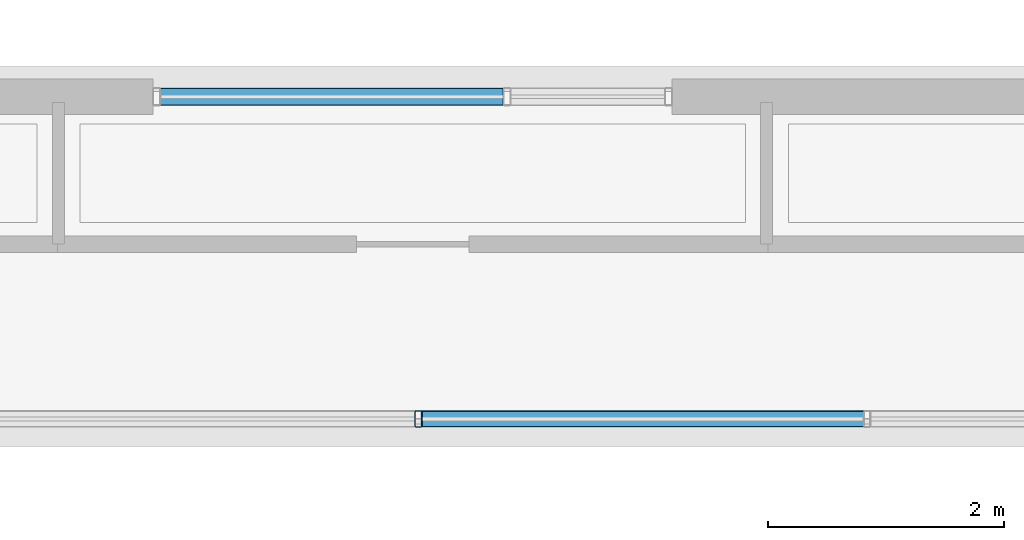
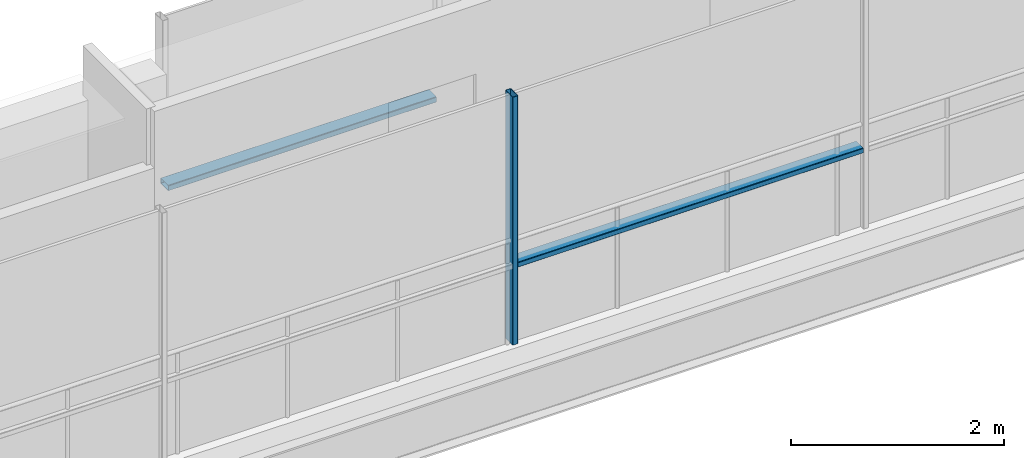
# One storey, part 12 of 36: 3 members, 2 elements without a shape of their own.
"""IFC4 building model written with IfcOpenShell, lengths in metres."""

from ifc_helpers import new_model, si_unit, direction, frame, origin, origin_2d, place, context, subcontext, project, spatial, hollow_rectangle, extrude, material, layer, layer_set, material_profile, profile_set, type_object, element, aggregate, save


model = new_model("IFC4")

# Units and contexts
model_context = context("Model", 3, precision=1e-05, world=origin(), true_north=direction((0.0, 1.0)))
body_context = subcontext(model_context, "Body", "Model", "MODEL_VIEW")
ifc_project = project(units=[si_unit("LENGTHUNIT", "METRE"), si_unit("AREAUNIT", "SQUARE_METRE"), si_unit("VOLUMEUNIT", "CUBIC_METRE"), si_unit("PLANEANGLEUNIT", "RADIAN"), si_unit("MASSUNIT", "GRAM", prefix="KILO")], contexts=[model_context])

# Site, building, storey
site_placement = place(None, origin())
site = spatial("IfcSite", under=ifc_project, at=site_placement, CompositionType="ELEMENT")
building_placement = place(site_placement, origin())
building = spatial("IfcBuilding", under=site, at=building_placement, Name="Brevholm Reach", CompositionType="ELEMENT")
storey_placement = place(building_placement, frame((0.0, 0.0, 175.89990234375)))
storey = spatial("IfcBuildingStorey", under=building, at=storey_placement, Name="L53", CompositionType="ELEMENT", Elevation=175.89990234375)

# Curtain wall, members
ifc_material_1 = material(Name="Dark Anodised Aluminium 6063-T6 and Solar-Control Glass", Category="aluminium")
ifc_layer_1 = layer(ifc_material_1, 0.139892578125)
ifc_layer_set_1 = layer_set([ifc_layer_1], Name="Dark Anodised Aluminium 6063-T6 and Solar-Control Glass")
curtain_wall_type_1 = type_object("IfcCurtainWallType", Name="CW-02", PredefinedType="NOTDEFINED", material=ifc_layer_set_1)
curtain_wall_1_placement = place(storey_placement, origin())
curtain_wall_1 = element("IfcCurtainWall", 1, at=curtain_wall_1_placement, inside=storey, type_object=curtain_wall_type_1, Name="L53 Curtain Wall CW-02", PredefinedType="NOTDEFINED")
ifc_material_2 = material(Name="Dark Anodised Aluminium 6063-T6", Category="aluminium")
ifc_material_profile_1 = material_profile(ifc_material_2, hollow_rectangle(XDim=0.06005859375, YDim=0.139892578125, WallThickness=0.0048828125, InnerFilletRadius=0.0048828125, OuterFilletRadius=0.010009765625, at=origin_2d()), Name="RHS 140x60x5")
ifc_profile_set_1 = profile_set([ifc_material_profile_1], Name="Dark Anodised Aluminium 6063-T6")
member_type_1 = type_object("IfcMemberType", Name="CWM-140", PredefinedType="MULLION", material=ifc_profile_set_1)
member_1_placement = place(storey_placement, frame((30.050048828125, 23.6201171875, 0.0), z_axis=(0.0, 0.0, 1.0), x_axis=(-1.0, 0.0, 0.0)))
member_1 = element("IfcMember", 2, at=member_1_placement, type_object=member_type_1, Name="CM-140 Mullion 3", PredefinedType="MULLION", context=body_context, shape_type="SweptSolid", body=[
    extrude(hollow_rectangle(XDim=0.06005859375, YDim=0.139892578125, WallThickness=0.0048828125, InnerFilletRadius=0.0048828125, OuterFilletRadius=0.010009765625, at=origin_2d()), origin(), (0.0, 0.0, 1.0), 2.840087890625),
])
ifc_material_3 = material(Name="Dark Anodised Aluminium 6063-T6", Category="aluminium")
ifc_material_profile_2 = material_profile(ifc_material_3, hollow_rectangle(XDim=0.06005859375, YDim=0.139892578125, WallThickness=0.0048828125, InnerFilletRadius=0.0048828125, OuterFilletRadius=0.010009765625, at=origin_2d()), Name="RHS 140x60x5")
ifc_profile_set_2 = profile_set([ifc_material_profile_2], Name="Dark Anodised Aluminium 6063-T6")
member_type_2 = type_object("IfcMemberType", Name="CWT-140", PredefinedType="NOTDEFINED", material=ifc_profile_set_2)
member_2_placement = place(storey_placement, frame((33.820068359375, 23.6201171875, 0.900146484375), z_axis=(-1.0, 0.0, 0.0), x_axis=(0.0, 0.0, 1.0)))
member_2 = element("IfcMember", 3, at=member_2_placement, type_object=member_type_2, Name="CT-140 Transom 2.1", ObjectType="TRANSOM", PredefinedType="USERDEFINED", context=body_context, shape_type="SweptSolid", body=[
    extrude(hollow_rectangle(XDim=0.06005859375, YDim=0.139892578125, WallThickness=0.0048828125, InnerFilletRadius=0.0048828125, OuterFilletRadius=0.010009765625, at=origin_2d()), origin(), (0.0, 0.0, 1.0), 3.739990234375),
])
aggregate(curtain_wall_1, [member_1, member_2])

# Curtain wall, member
ifc_material_4 = material(Name="Dark Anodised Aluminium 6063-T6 and Solar-Control Glass", Category="aluminium")
ifc_layer_2 = layer(ifc_material_4, 0.14990234375)
ifc_layer_set_2 = layer_set([ifc_layer_2], Name="Dark Anodised Aluminium 6063-T6 and Solar-Control Glass")
curtain_wall_type_2 = type_object("IfcCurtainWallType", Name="CW-01", PredefinedType="NOTDEFINED", material=ifc_layer_set_2)
curtain_wall_2_placement = place(storey_placement, origin())
curtain_wall_2 = element("IfcCurtainWall", 4, at=curtain_wall_2_placement, inside=storey, type_object=curtain_wall_type_2, Name="L53 Curtain Wall CW-01", PredefinedType="NOTDEFINED")
ifc_material_5 = material(Name="Dark Anodised Aluminium 6063-T6", Category="aluminium")
ifc_material_profile_3 = material_profile(ifc_material_5, hollow_rectangle(XDim=0.06494140625, YDim=0.14990234375, WallThickness=0.0048828125, InnerFilletRadius=0.0048828125, OuterFilletRadius=0.010009765625, at=origin_2d()), Name="RHS 150x65x5")
ifc_profile_set_3 = profile_set([ifc_material_profile_3], Name="Dark Anodised Aluminium 6063-T6")
member_type_3 = type_object("IfcMemberType", Name="CWT-150", PredefinedType="NOTDEFINED", material=ifc_profile_set_3)
member_3_placement = place(storey_placement, frame((27.864990234375, 26.35009765625, 0.900146484375), z_axis=(1.0, 0.0, 0.0), x_axis=(0.0, 0.0, 1.0)))
member_3 = element("IfcMember", 5, at=member_3_placement, type_object=member_type_3, Name="CT-150 Transom 1.1", ObjectType="TRANSOM", PredefinedType="USERDEFINED", context=body_context, shape_type="SweptSolid", body=[
    extrude(hollow_rectangle(XDim=0.06494140625, YDim=0.14990234375, WallThickness=0.0048828125, InnerFilletRadius=0.0048828125, OuterFilletRadius=0.010009765625, at=origin_2d()), origin(), (0.0, 0.0, 1.0), 2.902587890625),
])
aggregate(curtain_wall_2, [member_3])

save(model, "model.ifc")
